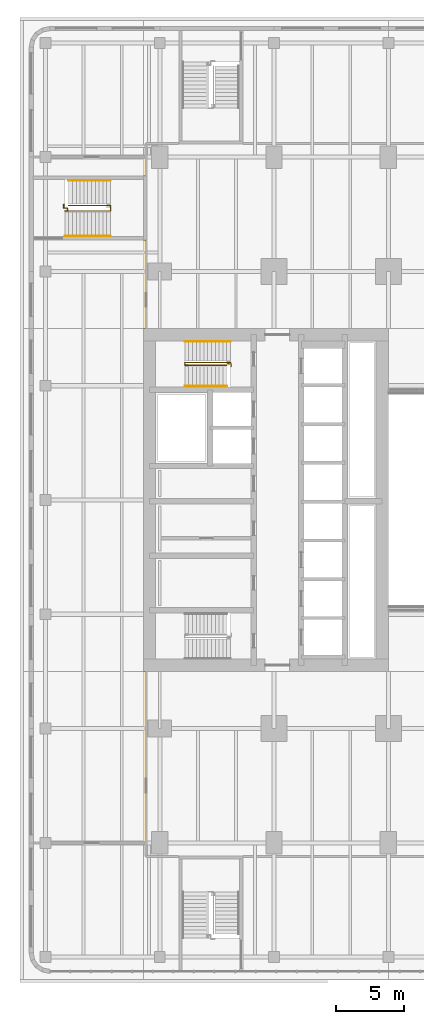
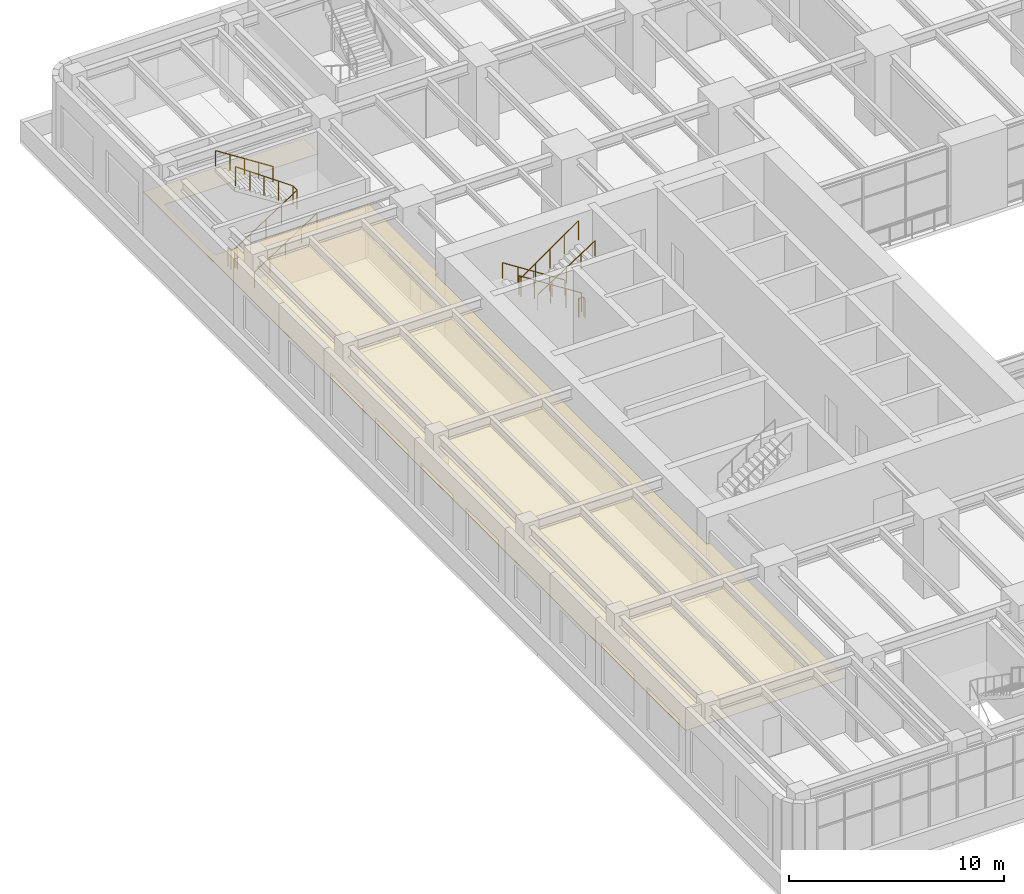
# One storey, part 25 of 30: 8 railings, 1 covering.
"""IFC4 building model written with IfcOpenShell, lengths in metres."""

import ifcopenshell
import ifcopenshell.guid

model = None  # the IFC model being written
_history = None  # IfcOwnerHistory: only IFC2X3 demands one
_inside = {}  # id of a spatial element -> (the spatial element, [elements in it])
_under = {}  # id of a project, library or spatial element -> (it, [spatial elements below it])
_declared = {}  # id of a project -> (the project, [libraries it declares])
_typed = {}  # id of a type object -> (the type object, [elements of that type])
_made_of = {}  # id of a material, layer set ... -> (it, [elements and type objects made of it])


def new_model(schema):
    """Start an empty IFC model of exactly this schema.

    Asked for "IFC4X3", IfcOpenShell would pick the latest addendum, in which some entities
    have other attributes; the version numbers below select the first issue.
    IFC2X3 requires an IfcOwnerHistory on every rooted entity: one is made here for all.
    """
    global model, _history
    if schema == "IFC4X3":
        model = ifcopenshell.file(schema_version=(4, 3, 0, 0))
    else:
        model = ifcopenshell.file(schema=schema)
    _inside.clear()
    _under.clear()
    _declared.clear()
    _typed.clear()
    _made_of.clear()
    _history = None
    if model.schema == "IFC2X3":
        org = make("IfcOrganization", Name="unknown")
        user = make(
            "IfcPersonAndOrganization",
            ThePerson=make("IfcPerson", FamilyName="unknown"),
            TheOrganization=org,
        )
        app = make(
            "IfcApplication",
            ApplicationDeveloper=org,
            Version="unknown",
            ApplicationFullName="unknown",
            ApplicationIdentifier="unknown",
        )
        _history = make(
            "IfcOwnerHistory",
            OwningUser=user,
            OwningApplication=app,
            ChangeAction="ADDED",
            CreationDate=0,
        )
    return model


def make(cls, **values):
    """One entity of the class cls with the attributes given. An attribute that is None is left unset."""
    return model.create_entity(
        cls, **{name: value for name, value in values.items() if value is not None}
    )


def rooted(cls, **values):
    """An entity with a GlobalId (a new one), such as an element, a storey or a relation."""
    return make(cls, GlobalId=ifcopenshell.guid.new(), OwnerHistory=_history, **values)


def si_unit(unit_type, name, prefix=None):
    """IfcSIUnit, for example si_unit("LENGTHUNIT", "METRE", prefix="MILLI")."""
    return make("IfcSIUnit", UnitType=unit_type, Prefix=prefix, Name=name)


def assignment(units):
    """IfcUnitAssignment: the units of a project."""
    return None if units is None else make("IfcUnitAssignment", Units=units)


def point(xyz):
    """IfcCartesianPoint."""
    return None if xyz is None else make("IfcCartesianPoint", Coordinates=xyz)


def direction(xyz):
    """IfcDirection."""
    return None if xyz is None else make("IfcDirection", DirectionRatios=xyz)


def frame(location, z_axis=None, x_axis=None):
    """IfcAxis2Placement3D, a coordinate frame: its origin and axes. An axis left out is left unset."""
    return make(
        "IfcAxis2Placement3D",
        Location=point(location),
        Axis=direction(z_axis),
        RefDirection=direction(x_axis),
    )


def frame_2d(location, x_axis=None):
    """IfcAxis2Placement2D, a coordinate frame in the plane: its origin and x axis."""
    return make(
        "IfcAxis2Placement2D", Location=point(location), RefDirection=direction(x_axis)
    )


def origin():
    """The frame at (0, 0, 0) with its axes left unset."""
    return frame((0.0, 0.0, 0.0))


def origin_2d():
    """The frame at (0, 0) in the plane with its x axis left unset."""
    return frame_2d((0.0, 0.0))


def place(relative_to, where):
    """IfcLocalPlacement: puts the frame where relative to a parent placement (None: the world)."""
    return make(
        "IfcLocalPlacement", PlacementRelTo=relative_to, RelativePlacement=where
    )


def context(
    kind, dimensions, precision=None, world=None, true_north=None, identifier=None
):
    """IfcGeometricRepresentationContext, for example the 3D "Model" context."""
    return make(
        "IfcGeometricRepresentationContext",
        ContextIdentifier=identifier,
        ContextType=kind,
        CoordinateSpaceDimension=dimensions,
        Precision=precision,
        WorldCoordinateSystem=world,
        TrueNorth=true_north,
    )


def subcontext(parent, identifier, kind, view, scale=None):
    """IfcGeometricRepresentationSubContext, for example "Body" below "Model"."""
    return make(
        "IfcGeometricRepresentationSubContext",
        ContextIdentifier=identifier,
        ContextType=kind,
        ParentContext=parent,
        TargetScale=scale,
        TargetView=view,
    )


def project(units=None, contexts=None):
    """IfcProject with its units and contexts."""
    return rooted(
        "IfcProject",
        Name="project",
        RepresentationContexts=contexts,
        UnitsInContext=assignment(units),
    )


def spatial(cls, under=None, at=None, **own):
    """A site, building, storey or space (cls), placed at a placement, below another one or the project."""
    s = rooted(cls, ObjectPlacement=at, **own)
    if under is not None:
        _under.setdefault(under.id(), (under, []))[1].append(s)
    return s


def polyline(points):
    """IfcPolyline through the points."""
    return make("IfcPolyline", Points=[point(p) for p in points])


def profile(cls, at=None, kind="AREA", **sizes):
    """A parametric profile (cls). Its sizes go by their IFC names, for example OverallWidth=200.0."""
    return make(cls, ProfileType=kind, Position=at, **sizes)


def circle(**sizes):
    """IfcCircleProfileDef."""
    return profile("IfcCircleProfileDef", **sizes)


def outline(outer, holes=None, kind="AREA"):
    """IfcArbitraryClosedProfileDef: a profile drawn as a closed curve; with holes, ...WithVoids."""
    if holes is None:
        return make("IfcArbitraryClosedProfileDef", ProfileType=kind, OuterCurve=outer)
    return make(
        "IfcArbitraryProfileDefWithVoids",
        ProfileType=kind,
        OuterCurve=outer,
        InnerCurves=holes,
    )


def extrude(swept, where, along, depth):
    """IfcExtrudedAreaSolid: the profile swept, set in the frame where, extruded along a direction by depth."""
    return make(
        "IfcExtrudedAreaSolid",
        SweptArea=swept,
        Position=where,
        ExtrudedDirection=direction(along),
        Depth=depth,
    )


def shape(context_of_items, identifier, shape_type, items):
    """IfcShapeRepresentation: the items that make up one representation, for example the "Body"."""
    return make(
        "IfcShapeRepresentation",
        ContextOfItems=context_of_items,
        RepresentationIdentifier=identifier,
        RepresentationType=shape_type,
        Items=items,
    )


def material(Name=None, Category=None):
    """IfcMaterial."""
    return make("IfcMaterial", Name=Name, Category=Category)


def layer(
    of_material, thickness, ventilated=None, Name=None, Category=None, Priority=None
):
    """IfcMaterialLayer: one layer of a wall or slab, of a material (None: an air gap)."""
    return make(
        "IfcMaterialLayer",
        Material=of_material,
        LayerThickness=thickness,
        IsVentilated=ventilated,
        Name=Name,
        Category=Category,
        Priority=Priority,
    )


def layer_set(layers, Name=None):
    """IfcMaterialLayerSet."""
    return make("IfcMaterialLayerSet", MaterialLayers=layers, LayerSetName=Name)


def made_of(thing, what):
    """Note that an element or type object is made of a material, layer set ...; save() writes the relation."""
    if what is not None:
        _made_of.setdefault(what.id(), (what, []))[1].append(thing)
    return thing


def type_object(cls, material=None, **own):
    """A type object (cls), such as IfcWallType, which elements share."""
    return made_of(rooted(cls, **own), material)


def element(
    cls,
    number,
    at=None,
    inside=None,
    cuts=None,
    type_object=None,
    material=None,
    context=None,
    identifier="Body",
    shape_type=None,
    held_by="IfcProductDefinitionShape",
    body=None,
    shapes=None,
    **own,
):
    """One element of the class cls, such as IfcWall. Its Tag is "e" and its number.

    at: its placement. inside: the storey or other place that contains it. cuts: it is an
    opening in that element (IfcRelVoidsElement). A single representation is given by context,
    identifier, shape_type and body (its items); several are given by shapes. held_by: the class
    of the entity that holds the representations. save() writes the other relations.
    """
    e = rooted(cls, Tag="e%d" % number, ObjectPlacement=at, **own)
    if body is not None:
        shapes = [shape(context, identifier, shape_type, body)]
    if shapes is not None:
        e.Representation = make(held_by, Representations=shapes)
    if inside is not None:
        _inside.setdefault(inside.id(), (inside, []))[1].append(e)
    if cuts is not None:
        rooted(
            "IfcRelVoidsElement", RelatingBuildingElement=cuts, RelatedOpeningElement=e
        )
    if type_object is not None:
        _typed.setdefault(type_object.id(), (type_object, []))[1].append(e)
    return made_of(e, material)


def aggregate(whole, parts):
    """IfcRelAggregates: a whole, such as a stair, and the parts it consists of."""
    return rooted("IfcRelAggregates", RelatingObject=whole, RelatedObjects=parts)


def save(model, path):
    """Write the relations noted so far, then the file.

    IfcRelAggregates (storeys below a building ...), IfcRelContainedInSpatialStructure (elements
    in a storey), IfcRelDefinesByType, IfcRelAssociatesMaterial and IfcRelDeclares: one each for
    every whole, place, type object, material and project.
    """
    for whole, parts in _under.values():
        aggregate(whole, parts)
    for where, things in _inside.values():
        rooted(
            "IfcRelContainedInSpatialStructure",
            RelatedElements=things,
            RelatingStructure=where,
        )
    for kind, things in _typed.values():
        rooted("IfcRelDefinesByType", RelatedObjects=things, RelatingType=kind)
    for what, things in _made_of.values():
        rooted("IfcRelAssociatesMaterial", RelatedObjects=things, RelatingMaterial=what)
    for by, libraries in _declared.values():
        rooted("IfcRelDeclares", RelatingContext=by, RelatedDefinitions=libraries)
    model.write(path)


model = new_model("IFC4")

# Units and contexts
model_context = context("Model", 3, precision=1e-05, world=origin(), true_north=direction((0.0, 1.0)))
body_context = subcontext(model_context, "Body", "Model", "MODEL_VIEW")
ifc_project = project(units=[si_unit("LENGTHUNIT", "METRE"), si_unit("AREAUNIT", "SQUARE_METRE"), si_unit("VOLUMEUNIT", "CUBIC_METRE"), si_unit("PLANEANGLEUNIT", "RADIAN"), si_unit("MASSUNIT", "GRAM", prefix="KILO")], contexts=[model_context])

# Site, building, storey
site_placement = place(None, origin())
site = spatial("IfcSite", under=ifc_project, at=site_placement, CompositionType="ELEMENT")
building_placement = place(site_placement, origin())
building = spatial("IfcBuilding", under=site, at=building_placement, Name="Claustro Exchange Tower", CompositionType="ELEMENT")
storey_placement = place(building_placement, frame((0.0, 0.0, 5.39990234375)))
storey = spatial("IfcBuildingStorey", under=building, at=storey_placement, Name="L01", CompositionType="ELEMENT", Elevation=5.39990234375)

# Covering
ifc_material_1 = material(Name="Perforated metal ceiling tiles", Category="steel")
ifc_layer = layer(ifc_material_1, 0.030029296875)
ifc_layer_set = layer_set([ifc_layer], Name="Perforated metal ceiling tiles")
covering_type = type_object("IfcCoveringType", Name="CL1 suspended metal ceiling", PredefinedType="CEILING", material=ifc_layer_set)
covering_placement = place(storey_placement, frame((0.0, 0.0, 3.0)))
element("IfcCovering", 1, at=covering_placement, inside=storey, type_object=covering_type, Name="Ceiling CL1 L01-06", PredefinedType="CEILING", context=body_context, shape_type="SweptSolid", body=[
    extrude(outline(polyline([(-1.0, 50.39990234375), (-9.60009765625, 50.39990234375), (-9.60009765625, 0.0), (-1.0, 0.0), (-1.0, 12.60009765625), (-1.199951171875, 12.60009765625), (-1.199951171875, 37.800048828125), (-1.0, 37.800048828125), (-1.0, 44.300048828125), (-9.280029296875, 44.300048828125), (-9.280029296875, 49.0), (-1.0, 49.0), (-1.0, 50.39990234375)])), origin(), (0.0, 0.0, 1.0), 0.030029296875),
])

# Railings
ifc_material_2 = material(Name="Steel balustrade, painted", Category="steel")
railing_type_1 = type_object("IfcRailingType", Name="GR2 1100 steel stair guard", PredefinedType="GUARDRAIL", material=ifc_material_2)
railing_1_placement = place(storey_placement, frame((5.199951171875, 35.300048828125, 0.18017578125)))
element("IfcRailing", 2, at=railing_1_placement, inside=storey, type_object=railing_type_1, Name="Stair well guard GR2 stair STWB L01", PredefinedType="GUARDRAIL", context=body_context, shape_type="SweptSolid", body=[
    extrude(circle(Radius=0.02392578125, at=origin_2d()), frame((0.0, 0.0, 1.076171875), z_axis=(-0.841178475377, 0.0, 0.540757591313), x_axis=(0.0, -1.0, 0.0)), (0.0, 0.0, 1.0), 3.994140625),
    extrude(circle(Radius=0.02392578125, at=origin_2d()), frame((-3.35986328125, 0.0, 3.23583984375), z_axis=(0.0, -1.0, 0.0), x_axis=(1.0, 0.0, 0.0)), (0.0, 0.0, 1.0), 0.199951171875),
    extrude(circle(Radius=0.02392578125, at=origin_2d()), frame((-3.35986328125, -0.199951171875, 3.23583984375), z_axis=(0.818728512145, 0.0, 0.574180828137), x_axis=(0.0, 1.0, 0.0)), (0.0, 0.0, 1.0), 3.76171875),
    extrude(circle(Radius=0.02099609375, at=origin_2d()), origin(), (0.0, 0.0, 1.0), 1.052001953125),
    extrude(circle(Radius=0.02099609375, at=origin_2d()), frame((-0.83984375, 0.0, 0.5400390625)), (0.0, 0.0, 1.0), 1.052001953125),
    extrude(circle(Radius=0.02099609375, at=origin_2d()), frame((-1.679931640625, 0.0, 1.080078125)), (0.0, 0.0, 1.0), 1.052001953125),
    extrude(circle(Radius=0.02099609375, at=origin_2d()), frame((-2.52001953125, 0.0, 1.619873046875)), (0.0, 0.0, 1.0), 1.052001953125),
    extrude(circle(Radius=0.02099609375, at=origin_2d()), frame((-3.35986328125, 0.0, 2.159912109375)), (0.0, 0.0, 1.0), 1.052001953125),
    extrude(circle(Radius=0.02099609375, at=origin_2d()), frame((-3.35986328125, -0.199951171875, 2.159912109375)), (0.0, 0.0, 1.0), 1.052001953125),
    extrude(circle(Radius=0.02099609375, at=origin_2d()), frame((-2.58984375, -0.199951171875, 2.699951171875)), (0.0, 0.0, 1.0), 1.052001953125),
    extrude(circle(Radius=0.02099609375, at=origin_2d()), frame((-1.81982421875, -0.199951171875, 3.23974609375)), (0.0, 0.0, 1.0), 1.052001953125),
    extrude(circle(Radius=0.02099609375, at=origin_2d()), frame((-1.050048828125, -0.199951171875, 3.77978515625)), (0.0, 0.0, 1.0), 1.052001953125),
    extrude(circle(Radius=0.02099609375, at=origin_2d()), frame((-0.280029296875, -0.199951171875, 4.31982421875)), (0.0, 0.0, 1.0), 1.052001953125),
])
railing_2_placement = place(storey_placement, frame((5.0, 35.22998046875, 0.0)))
element("IfcRailing", 3, at=railing_2_placement, inside=storey, type_object=railing_type_1, Name="Stair guard GR2 STWB L01", PredefinedType="GUARDRAIL", context=body_context, shape_type="SweptSolid", body=[
    extrude(circle(Radius=0.02392578125, at=origin_2d()), frame((0.0, 0.0, 1.076171875), z_axis=(0.0, -1.0, 0.0), x_axis=(1.0, 0.0, 0.0)), (0.0, 0.0, 1.0), 0.030029296875),
    extrude(circle(Radius=0.02392578125, at=origin_2d()), frame((0.0, -0.030029296875, 1.076171875), z_axis=(1.0, 0.0, 0.0), x_axis=(0.0, 1.0, 0.0)), (0.0, 0.0, 1.0), 0.22509765625),
    extrude(circle(Radius=0.02392578125, at=origin_2d()), frame((0.22509765625, -0.030029296875, 1.076171875), z_axis=(0.0, -1.0, 0.0), x_axis=(1.0, 0.0, 0.0)), (0.0, 0.0, 1.0), 0.179931640625),
    extrude(circle(Radius=0.02099609375, at=origin_2d()), origin(), (0.0, 0.0, 1.0), 1.052001953125),
    extrude(circle(Radius=0.02099609375, at=origin_2d()), frame((0.0, -0.030029296875, 0.0)), (0.0, 0.0, 1.0), 1.052001953125),
    extrude(circle(Radius=0.02099609375, at=origin_2d()), frame((0.22509765625, -0.030029296875, 0.0)), (0.0, 0.0, 1.0), 1.052001953125),
    extrude(circle(Radius=0.02099609375, at=origin_2d()), frame((0.22509765625, -0.2099609375, 0.0)), (0.0, 0.0, 1.0), 1.052001953125),
])
railing_3_placement = place(storey_placement, frame((-6.97998046875, 46.449951171875, 0.18017578125)))
element("IfcRailing", 4, at=railing_3_placement, inside=storey, type_object=railing_type_1, Name="Stair well guard GR2 stair STP5 L01", PredefinedType="GUARDRAIL", context=body_context, shape_type="SweptSolid", body=[
    extrude(circle(Radius=0.02392578125, at=origin_2d()), frame((0.0, 0.0, 1.076171875), z_axis=(0.841178475377, 0.0, 0.540757591313), x_axis=(0.0, 1.0, 0.0)), (0.0, 0.0, 1.0), 3.994140625),
    extrude(circle(Radius=0.02392578125, at=origin_2d()), frame((3.35986328125, 0.0, 3.23583984375), z_axis=(0.0, 1.0, 0.0), x_axis=(-1.0, 0.0, 0.0)), (0.0, 0.0, 1.0), 0.400146484375),
    extrude(circle(Radius=0.02392578125, at=origin_2d()), frame((3.35986328125, 0.400146484375, 3.23583984375), z_axis=(-0.818728512145, 0.0, 0.574180828137), x_axis=(0.0, -1.0, 0.0)), (0.0, 0.0, 1.0), 3.76171875),
    extrude(circle(Radius=0.02099609375, at=origin_2d()), origin(), (0.0, 0.0, 1.0), 1.052001953125),
    extrude(circle(Radius=0.02099609375, at=origin_2d()), frame((0.83984375, 0.0, 0.5400390625)), (0.0, 0.0, 1.0), 1.052001953125),
    extrude(circle(Radius=0.02099609375, at=origin_2d()), frame((1.679931640625, 0.0, 1.080078125)), (0.0, 0.0, 1.0), 1.052001953125),
    extrude(circle(Radius=0.02099609375, at=origin_2d()), frame((2.52001953125, 0.0, 1.619873046875)), (0.0, 0.0, 1.0), 1.052001953125),
    extrude(circle(Radius=0.02099609375, at=origin_2d()), frame((3.35986328125, 0.0, 2.159912109375)), (0.0, 0.0, 1.0), 1.052001953125),
    extrude(circle(Radius=0.02099609375, at=origin_2d()), frame((3.35986328125, 0.400146484375, 2.159912109375)), (0.0, 0.0, 1.0), 1.052001953125),
    extrude(circle(Radius=0.02099609375, at=origin_2d()), frame((2.58984375, 0.400146484375, 2.699951171875)), (0.0, 0.0, 1.0), 1.052001953125),
    extrude(circle(Radius=0.02099609375, at=origin_2d()), frame((1.81982421875, 0.400146484375, 3.23974609375)), (0.0, 0.0, 1.0), 1.052001953125),
    extrude(circle(Radius=0.02099609375, at=origin_2d()), frame((1.050048828125, 0.400146484375, 3.77978515625)), (0.0, 0.0, 1.0), 1.052001953125),
    extrude(circle(Radius=0.02099609375, at=origin_2d()), frame((0.280029296875, 0.400146484375, 4.31982421875)), (0.0, 0.0, 1.0), 1.052001953125),
])
railing_4_placement = place(storey_placement, frame((-6.780029296875, 46.52001953125, 0.0)))
element("IfcRailing", 5, at=railing_4_placement, inside=storey, type_object=railing_type_1, Name="Stair guard GR2 STP5 L01", PredefinedType="GUARDRAIL", context=body_context, shape_type="SweptSolid", body=[
    extrude(circle(Radius=0.02392578125, at=origin_2d()), frame((0.0, 0.0, 1.076171875), z_axis=(0.0, 1.0, 0.0), x_axis=(-1.0, 0.0, 0.0)), (0.0, 0.0, 1.0), 0.1298828125),
    extrude(circle(Radius=0.02392578125, at=origin_2d()), frame((0.0, 0.1298828125, 1.076171875), z_axis=(-1.0, 0.0, 0.0), x_axis=(0.0, -1.0, 0.0)), (0.0, 0.0, 1.0), 0.27490234375),
    extrude(circle(Radius=0.02392578125, at=origin_2d()), frame((-0.27490234375, 0.1298828125, 1.076171875), z_axis=(0.0, 1.0, 0.0), x_axis=(-1.0, 0.0, 0.0)), (0.0, 0.0, 1.0), 0.280029296875),
    extrude(circle(Radius=0.02099609375, at=origin_2d()), origin(), (0.0, 0.0, 1.0), 1.052001953125),
    extrude(circle(Radius=0.02099609375, at=origin_2d()), frame((0.0, 0.1298828125, 0.0)), (0.0, 0.0, 1.0), 1.052001953125),
    extrude(circle(Radius=0.02099609375, at=origin_2d()), frame((-0.27490234375, 0.1298828125, 0.0)), (0.0, 0.0, 1.0), 1.052001953125),
    extrude(circle(Radius=0.02099609375, at=origin_2d()), frame((-0.27490234375, 0.409912109375, 0.0)), (0.0, 0.0, 1.0), 1.052001953125),
])
ifc_material_3 = material(Name="Stainless steel tube", Category="steel")
railing_type_2 = type_object("IfcRailingType", Name="HR1 900 stair handrail", PredefinedType="HANDRAIL", material=ifc_material_3)
railing_5_placement = place(storey_placement, frame((5.199951171875, 36.840087890625, 0.18017578125)))
element("IfcRailing", 6, at=railing_5_placement, inside=storey, type_object=railing_type_2, Name="Handrail HR1 stair STWB L01", PredefinedType="HANDRAIL", context=body_context, shape_type="SweptSolid", body=[
    extrude(circle(Radius=0.02392578125, at=origin_2d()), frame((0.0, 0.0, 0.8759765625), z_axis=(-0.841178475377, 0.0, 0.540757591313), x_axis=(0.0, -1.0, 0.0)), (0.0, 0.0, 1.0), 3.994140625),
    extrude(circle(Radius=0.02099609375, at=origin_2d()), origin(), (0.0, 0.0, 1.0), 0.851806640625),
    extrude(circle(Radius=0.02099609375, at=origin_2d()), frame((-0.83984375, 0.0, 0.5400390625)), (0.0, 0.0, 1.0), 0.851806640625),
    extrude(circle(Radius=0.02099609375, at=origin_2d()), frame((-1.679931640625, 0.0, 1.080078125)), (0.0, 0.0, 1.0), 0.851806640625),
    extrude(circle(Radius=0.02099609375, at=origin_2d()), frame((-2.52001953125, 0.0, 1.619873046875)), (0.0, 0.0, 1.0), 0.851806640625),
    extrude(circle(Radius=0.02099609375, at=origin_2d()), frame((-3.35986328125, 0.0, 2.159912109375)), (0.0, 0.0, 1.0), 0.851806640625),
])
railing_6_placement = place(storey_placement, frame((1.840087890625, 33.56005859375, 2.52001953125)))
element("IfcRailing", 7, at=railing_6_placement, inside=storey, type_object=railing_type_2, Name="Handrail HR1 stair STWB L01", PredefinedType="HANDRAIL", context=body_context, shape_type="SweptSolid", body=[
    extrude(circle(Radius=0.02392578125, at=origin_2d()), frame((0.0, 0.0, 0.8759765625), z_axis=(0.841167642724, 0.0, 0.540774441735), x_axis=(0.0, 1.0, 0.0)), (0.0, 0.0, 1.0), 3.661376953125),
    extrude(circle(Radius=0.02099609375, at=origin_2d()), origin(), (0.0, 0.0, 1.0), 0.851806640625),
    extrude(circle(Radius=0.02099609375, at=origin_2d()), frame((0.77001953125, 0.0, 0.4951171875)), (0.0, 0.0, 1.0), 0.851806640625),
    extrude(circle(Radius=0.02099609375, at=origin_2d()), frame((1.5400390625, 0.0, 0.989990234375)), (0.0, 0.0, 1.0), 0.851806640625),
    extrude(circle(Radius=0.02099609375, at=origin_2d()), frame((2.309814453125, 0.0, 1.48486328125)), (0.0, 0.0, 1.0), 0.851806640625),
    extrude(circle(Radius=0.02099609375, at=origin_2d()), frame((3.079833984375, 0.0, 1.97998046875)), (0.0, 0.0, 1.0), 0.851806640625),
])
railing_7_placement = place(storey_placement, frame((-6.97998046875, 44.610107421875, 0.18017578125)))
element("IfcRailing", 8, at=railing_7_placement, inside=storey, type_object=railing_type_2, Name="Handrail HR1 stair STP5 L01", PredefinedType="HANDRAIL", context=body_context, shape_type="SweptSolid", body=[
    extrude(circle(Radius=0.02392578125, at=origin_2d()), frame((0.0, 0.0, 0.8759765625), z_axis=(0.841178475377, 0.0, 0.540757591313), x_axis=(0.0, 1.0, 0.0)), (0.0, 0.0, 1.0), 3.994140625),
    extrude(circle(Radius=0.02099609375, at=origin_2d()), origin(), (0.0, 0.0, 1.0), 0.851806640625),
    extrude(circle(Radius=0.02099609375, at=origin_2d()), frame((0.83984375, 0.0, 0.5400390625)), (0.0, 0.0, 1.0), 0.851806640625),
    extrude(circle(Radius=0.02099609375, at=origin_2d()), frame((1.679931640625, 0.0, 1.080078125)), (0.0, 0.0, 1.0), 0.851806640625),
    extrude(circle(Radius=0.02099609375, at=origin_2d()), frame((2.52001953125, 0.0, 1.619873046875)), (0.0, 0.0, 1.0), 0.851806640625),
    extrude(circle(Radius=0.02099609375, at=origin_2d()), frame((3.35986328125, 0.0, 2.159912109375)), (0.0, 0.0, 1.0), 0.851806640625),
])
railing_8_placement = place(storey_placement, frame((-3.6201171875, 48.68994140625, 2.52001953125)))
element("IfcRailing", 9, at=railing_8_placement, inside=storey, type_object=railing_type_2, Name="Handrail HR1 stair STP5 L01", PredefinedType="HANDRAIL", context=body_context, shape_type="SweptSolid", body=[
    extrude(circle(Radius=0.02392578125, at=origin_2d()), frame((0.0, 0.0, 0.8759765625), z_axis=(-0.841167642724, 0.0, 0.540774441735), x_axis=(0.0, -1.0, 0.0)), (0.0, 0.0, 1.0), 3.661376953125),
    extrude(circle(Radius=0.02099609375, at=origin_2d()), origin(), (0.0, 0.0, 1.0), 0.851806640625),
    extrude(circle(Radius=0.02099609375, at=origin_2d()), frame((-0.77001953125, 0.0, 0.4951171875)), (0.0, 0.0, 1.0), 0.851806640625),
    extrude(circle(Radius=0.02099609375, at=origin_2d()), frame((-1.5400390625, 0.0, 0.989990234375)), (0.0, 0.0, 1.0), 0.851806640625),
    extrude(circle(Radius=0.02099609375, at=origin_2d()), frame((-2.309814453125, 0.0, 1.48486328125)), (0.0, 0.0, 1.0), 0.851806640625),
    extrude(circle(Radius=0.02099609375, at=origin_2d()), frame((-3.079833984375, 0.0, 1.97998046875)), (0.0, 0.0, 1.0), 0.851806640625),
])

save(model, "model.ifc")
